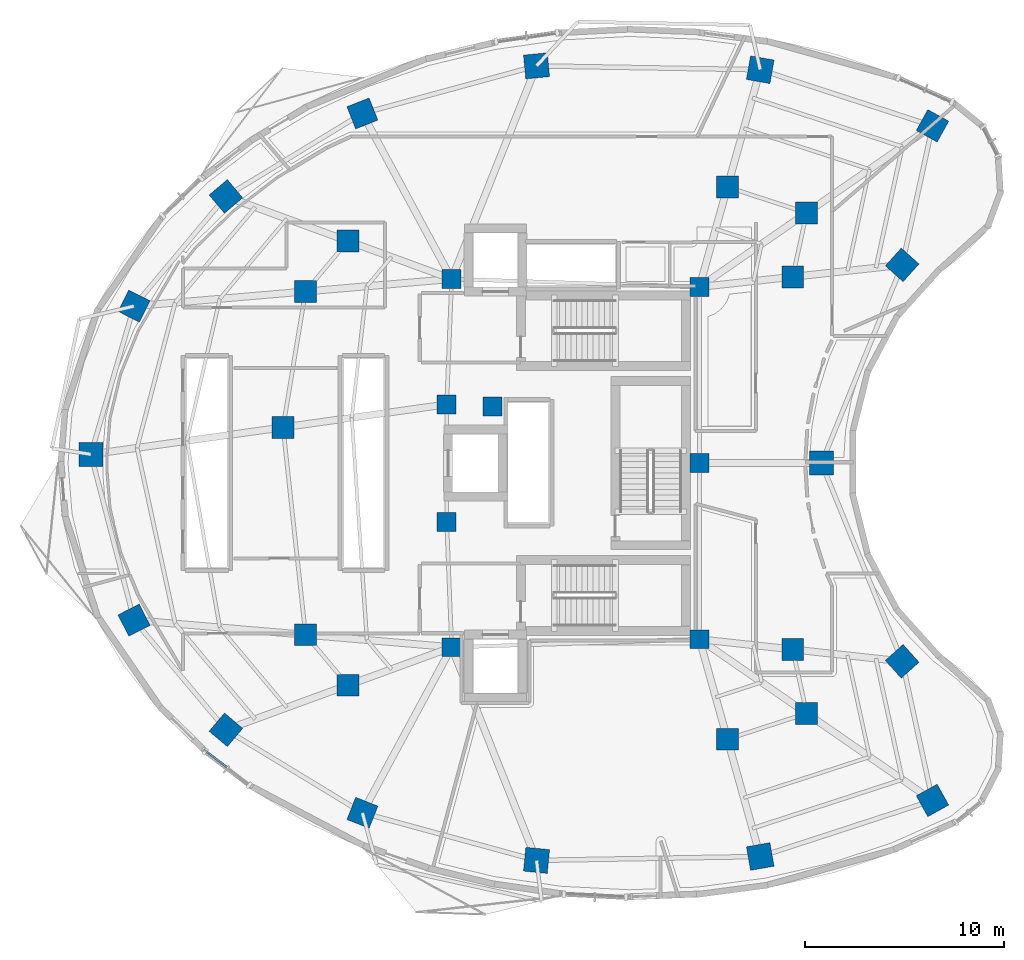
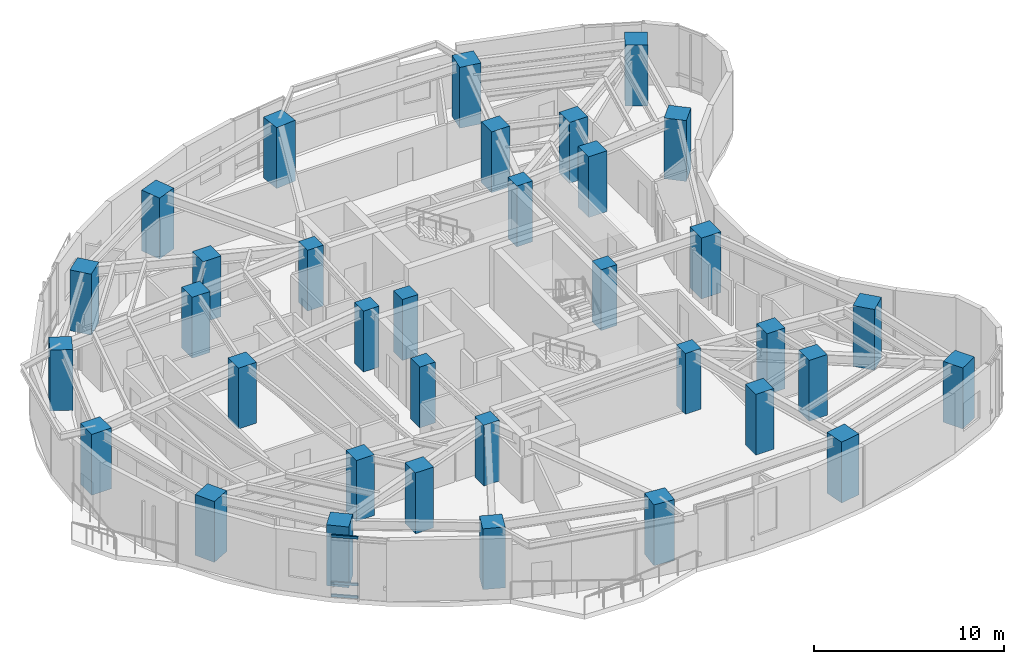
# One storey, part 1 of 13: 35 columns, 3 members, 1 element without a shape of its own.
"""IFC4 building model written with IfcOpenShell, lengths in metres."""

from ifc_helpers import new_model, si_unit, direction, frame, origin, origin_2d, place, context, subcontext, project, spatial, rectangle, extrude, material, layer, layer_set, material_profile, profile_set, type_object, element, aggregate, save


model = new_model("IFC4")

# Units and contexts
model_context = context("Model", 3, precision=1e-05, world=origin(), true_north=direction((0.0, 1.0)))
body_context = subcontext(model_context, "Body", "Model", "MODEL_VIEW")
ifc_project = project(units=[si_unit("LENGTHUNIT", "METRE"), si_unit("AREAUNIT", "SQUARE_METRE"), si_unit("VOLUMEUNIT", "CUBIC_METRE"), si_unit("PLANEANGLEUNIT", "RADIAN"), si_unit("MASSUNIT", "GRAM", prefix="KILO")], contexts=[model_context])

# Site, building, storey
site_placement = place(None, origin())
site = spatial("IfcSite", under=ifc_project, at=site_placement, CompositionType="ELEMENT")
building_placement = place(site_placement, origin())
building = spatial("IfcBuilding", under=site, at=building_placement, Name="Korentha Bioscience Tower", CompositionType="ELEMENT")
storey_placement = place(building_placement, frame((0.0, 0.0, 106.800048828125)))
storey = spatial("IfcBuildingStorey", under=building, at=storey_placement, Name="L24", CompositionType="ELEMENT", Elevation=106.800048828125)

# Columns
ifc_material_1 = material(Name="Concrete C65", Category="concrete")
ifc_material_profile_1 = material_profile(ifc_material_1, rectangle(XDim=0.949951171875, YDim=0.949951171875, at=origin_2d()), Name="Concrete C65")
ifc_profile_set_1 = profile_set([ifc_material_profile_1], Name="Concrete C65 (COL-CP09)")
column_type_1 = type_object("IfcColumnType", Name="Core Pilaster Column RC 950x950", PredefinedType="PILASTER", material=ifc_profile_set_1)
for number, where, z_axis, x_axis, name in (
    (1, (37.550048828125, 35.85009765625, -0.00048828125), (0.0, 0.0, 1.0), (1.0, 0.0, 0.0), "L24 Core Pilaster CP-01"),
    (2, (25.10009765625, 36.25, -0.00048828125), (0.0, 0.0, 1.0), (1.0, 0.0, 0.0), "L24 Core Pilaster CP-02"),
    (3, (24.85009765625, 29.949951171875, -0.00048828125), (0.0, 0.0, 1.0), (1.0, 0.0, 0.0), "L24 Core Pilaster CP-03"),
    (4, (27.14990234375, 29.85009765625, -0.00048828125), (0.0, 0.0, 1.0), (1.0, 0.0, 0.0), "L24 Core Pilaster CP-04"),
    (5, (24.85009765625, 24.050048828125, -0.00048828125), (0.0, 0.0, 1.0), (1.0, 0.0, 0.0), "L24 Core Pilaster CP-05"),
    (6, (25.10009765625, 17.75, -0.00048828125), (0.0, 0.0, 1.0), (1.0, 0.0, 0.0), "L24 Core Pilaster CP-06"),
    (7, (37.550048828125, 18.14990234375, -0.00048828125), (0.0, 0.0, 1.0), (1.0, 0.0, 0.0), "L24 Core Pilaster CP-07"),
    (8, (37.550048828125, 27.0, -0.00048828125), (0.0, 0.0, 1.0), (1.0, 0.0, 0.0), "L24 Core Pilaster CP-08"),
):
    element("IfcColumn", number, at=place(storey_placement, frame(where, z_axis=z_axis, x_axis=x_axis)), inside=storey, type_object=column_type_1, Name=name, PredefinedType="PILASTER", context=body_context, shape_type="SweptSolid", body=[
        extrude(rectangle(XDim=0.949951171875, YDim=0.949951171875, at=origin_2d()), origin(), (0.0, 0.0, 1.0), 3.90087890625),
    ])
ifc_material_2 = material(Name="Concrete C80", Category="concrete")
ifc_material_profile_2 = material_profile(ifc_material_2, rectangle(XDim=1.10009765625, YDim=1.10009765625, at=origin_2d()), Name="Concrete C80")
ifc_profile_set_2 = profile_set([ifc_material_profile_2], Name="Concrete C80 (COL-MR11)")
column_type_2 = type_object("IfcColumnType", Name="Mid-Ring Lab Column RC 1100x1100", PredefinedType="COLUMN", material=ifc_profile_set_2)
for number, where, z_axis, x_axis, name in (
    (9, (42.93603515625, 39.57470703125, -0.00048828125), (0.0, 0.0, 1.0), (1.0, 0.0, 0.0), "L24 Mid-Ring Column 01"),
    (10, (38.954833984375, 40.870849609375, -0.00048828125), (0.0, 0.0, 1.0), (1.0, 0.0, 0.0), "L24 Mid-Ring Column 02"),
    (11, (19.882568359375, 38.158935546875, -0.00048828125), (0.0, 0.0, 1.0), (1.0, 0.0, 0.0), "L24 Mid-Ring Column 05"),
    (12, (17.75927734375, 35.6240234375, -0.00048828125), (0.0, 0.0, 1.0), (1.0, 0.0, 0.0), "L24 Mid-Ring Column 06"),
    (13, (16.627197265625, 28.796630859375, -0.00048828125), (0.0, 0.0, 1.0), (1.0, 0.0, 0.0), "L24 Mid-Ring Column 07"),
    (14, (17.75927734375, 18.3759765625, -0.00048828125), (0.0, 0.0, 1.0), (1.0, 0.0, 0.0), "L24 Mid-Ring Column 08"),
    (15, (19.882568359375, 15.841064453125, -0.00048828125), (0.0, 0.0, 1.0), (1.0, 0.0, 0.0), "L24 Mid-Ring Column 09"),
    (16, (38.954833984375, 13.129150390625, -0.00048828125), (0.0, 0.0, 1.0), (1.0, 0.0, 0.0), "L24 Mid-Ring Column 12"),
    (17, (42.93603515625, 14.42529296875, -0.00048828125), (0.0, 0.0, 1.0), (1.0, 0.0, 0.0), "L24 Mid-Ring Column 13"),
    (18, (42.235595703125, 17.639404296875, -0.00048828125), (0.0, 0.0, 1.0), (1.0, 0.0, 0.0), "L24 Mid-Ring Column 14"),
    (19, (42.235595703125, 36.360595703125, -0.00048828125), (0.0, 0.0, 1.0), (1.0, 0.0, 0.0), "L24 Mid-Ring Column 16"),
):
    element("IfcColumn", number, at=place(storey_placement, frame(where, z_axis=z_axis, x_axis=x_axis)), inside=storey, type_object=column_type_2, Name=name, PredefinedType="COLUMN", context=body_context, shape_type="SweptSolid", body=[
        extrude(rectangle(XDim=1.10009765625, YDim=1.10009765625, at=origin_2d()), origin(), (0.0, 0.0, 1.0), 3.90087890625),
    ])
ifc_material_profile_3 = material_profile(ifc_material_2, rectangle(XDim=1.199951171875, YDim=1.199951171875, at=origin_2d()), Name="Concrete C80")
ifc_profile_set_3 = profile_set([ifc_material_profile_3], Name="Concrete C80 (COL-P12)")
column_type_3 = type_object("IfcColumnType", Name="Perimeter Column RC 1200x1200", PredefinedType="COLUMN", material=ifc_profile_set_3)
for number, where, z_axis, x_axis, name in (
    (20, (49.2587890625, 43.947021484375, -0.00048828125), (0.0, 0.0, 1.0), (-0.874535078577, 0.484962262797, 0.0), "L24 Perimeter Column 01"),
    (21, (40.604248046875, 46.764892578125, -0.00048828125), (0.0, 0.0, 1.0), (-0.984868307662, 0.173304404339, 0.0), "L24 Perimeter Column 02"),
    (22, (29.3642578125, 46.959228515625, -0.00048828125), (0.0, 0.0, 1.0), (0.995462868748, 0.095150811579, 0.0), "L24 Perimeter Column 03"),
    (23, (20.614990234375, 44.5693359375, -0.00048828125), (0.0, 0.0, 1.0), (0.930225540858, 0.366988341962, 0.0), "L24 Perimeter Column 04"),
    (24, (13.7578125, 40.400146484375, -0.00048828125), (0.0, 0.0, 1.0), (0.764246456939, 0.644924300253, 0.0), "L24 Perimeter Column 05"),
    (25, (9.141845703125, 34.889404296875, -0.00048828125), (0.0, 0.0, 1.0), (0.453057191132, 0.891481453292, 0.0), "L24 Perimeter Column 06"),
    (26, (6.97412109375, 27.4423828125, -0.00048828125), (0.0, 0.0, 1.0), (0.0, 1.0, 0.0), "L24 Perimeter Column 07"),
    (27, (9.141845703125, 19.110595703125, -0.00048828125), (0.0, 0.0, 1.0), (-0.453057191132, 0.891481453292, 0.0), "L24 Perimeter Column 08"),
    (28, (13.7578125, 13.599853515625, -0.00048828125), (0.0, 0.0, 1.0), (-0.764246456939, 0.644924300253, 0.0), "L24 Perimeter Column 09"),
    (29, (20.614990234375, 9.4306640625, -0.00048828125), (0.0, 0.0, 1.0), (-0.930225540858, 0.366988341962, 0.0), "L24 Perimeter Column 10"),
    (30, (29.3642578125, 7.040771484375, -0.00048828125), (0.0, 0.0, 1.0), (-0.995462868748, 0.095150811579, 0.0), "L24 Perimeter Column 11"),
    (31, (40.604248046875, 7.235107421875, -0.00048828125), (0.0, 0.0, 1.0), (0.984868307662, 0.173304404339, 0.0), "L24 Perimeter Column 12"),
    (32, (49.2587890625, 10.052978515625, -0.00048828125), (0.0, 0.0, 1.0), (0.874535078577, 0.484962262797, 0.0), "L24 Perimeter Column 13"),
    (33, (47.736083984375, 17.040283203125, -0.00048828125), (0.0, 0.0, 1.0), (-0.669130606359, 0.743144825477, 0.0), "L24 Perimeter Column 14"),
    (34, (43.680908203125, 27.0, -0.00048828125), (0.0, 0.0, 1.0), (0.0, 1.0, 0.0), "L24 Perimeter Column 15"),
    (35, (47.736083984375, 36.959716796875, -0.00048828125), (0.0, 0.0, 1.0), (0.669130606359, 0.743144825477, 0.0), "L24 Perimeter Column 16"),
):
    element("IfcColumn", number, at=place(storey_placement, frame(where, z_axis=z_axis, x_axis=x_axis)), inside=storey, type_object=column_type_3, Name=name, PredefinedType="COLUMN", context=body_context, shape_type="SweptSolid", body=[
        extrude(rectangle(XDim=1.199951171875, YDim=1.199951171875, at=origin_2d()), origin(), (0.0, 0.0, 1.0), 3.90087890625),
    ])

# Curtain wall, members
ifc_material_3 = material(Name="Thermally Broken Aluminium Frame", Category="aluminium")
ifc_layer = layer(ifc_material_3, 0.219970703125, Name="Thermally Broken Aluminium Frame")
ifc_layer_set = layer_set([ifc_layer], Name="Thermally Broken Aluminium Frame (CW-T2)")
curtain_wall_type = type_object("IfcCurtainWallType", Name="Solar-Screened Lab Unitised Curtain Wall CW-T2", PredefinedType="USERDEFINED", material=ifc_layer_set)
curtain_wall_placement = place(storey_placement, origin())
curtain_wall = element("IfcCurtainWall", 36, at=curtain_wall_placement, inside=storey, type_object=curtain_wall_type, Name="L24 Curtain Wall 25", ObjectType="UNITISED", PredefinedType="USERDEFINED")
ifc_material_4 = material(Name="Anodised Aluminium 6063-T6", Category="aluminium")
ifc_material_profile_4 = material_profile(ifc_material_4, rectangle(XDim=0.090087890625, YDim=0.159912109375, at=origin_2d()), Name="Anodised Aluminium 6063-T6")
ifc_profile_set_4 = profile_set([ifc_material_profile_4], Name="Anodised Aluminium 6063-T6 (CW-TRN)")
member_type = type_object("IfcMemberType", Name="Transom RECT 90x160", PredefinedType="USERDEFINED", material=ifc_profile_set_4)
member_1_placement = place(storey_placement, frame((12.659912109375, 12.601318359375, 0.044921875), z_axis=(0.794559026989, -0.607186917374, 0.0), x_axis=(0.607186917374, 0.794559026989, 0.0)))
member_1 = element("IfcMember", 37, at=member_1_placement, type_object=member_type, Name="CW-L24-25 Bay 1 Transom 1", ObjectType="TRANSOM", PredefinedType="USERDEFINED", context=body_context, shape_type="SweptSolid", body=[
    extrude(rectangle(XDim=0.090087890625, YDim=0.159912109375, at=origin_2d()), origin(), (0.0, 0.0, 1.0), 1.4462890625),
])
member_2_placement = place(storey_placement, frame((12.659912109375, 12.601318359375, 0.849853515625), z_axis=(0.794559026989, -0.607186917374, 0.0), x_axis=(0.607186917374, 0.794559026989, 0.0)))
member_2 = element("IfcMember", 38, at=member_2_placement, type_object=member_type, Name="CW-L24-25 Bay 1 Transom 2", ObjectType="TRANSOM", PredefinedType="USERDEFINED", context=body_context, shape_type="SweptSolid", body=[
    extrude(rectangle(XDim=0.090087890625, YDim=0.159912109375, at=origin_2d()), origin(), (0.0, 0.0, 1.0), 1.4462890625),
])
member_3_placement = place(storey_placement, frame((12.659912109375, 12.601318359375, 3.85498046875), z_axis=(0.794559026989, -0.607186917374, 0.0), x_axis=(0.607186917374, 0.794559026989, 0.0)))
member_3 = element("IfcMember", 39, at=member_3_placement, type_object=member_type, Name="CW-L24-25 Bay 1 Transom 3", ObjectType="TRANSOM", PredefinedType="USERDEFINED", context=body_context, shape_type="SweptSolid", body=[
    extrude(rectangle(XDim=0.090087890625, YDim=0.159912109375, at=origin_2d()), origin(), (0.0, 0.0, 1.0), 1.4462890625),
])
aggregate(curtain_wall, [member_1, member_2, member_3])

save(model, "model.ifc")
